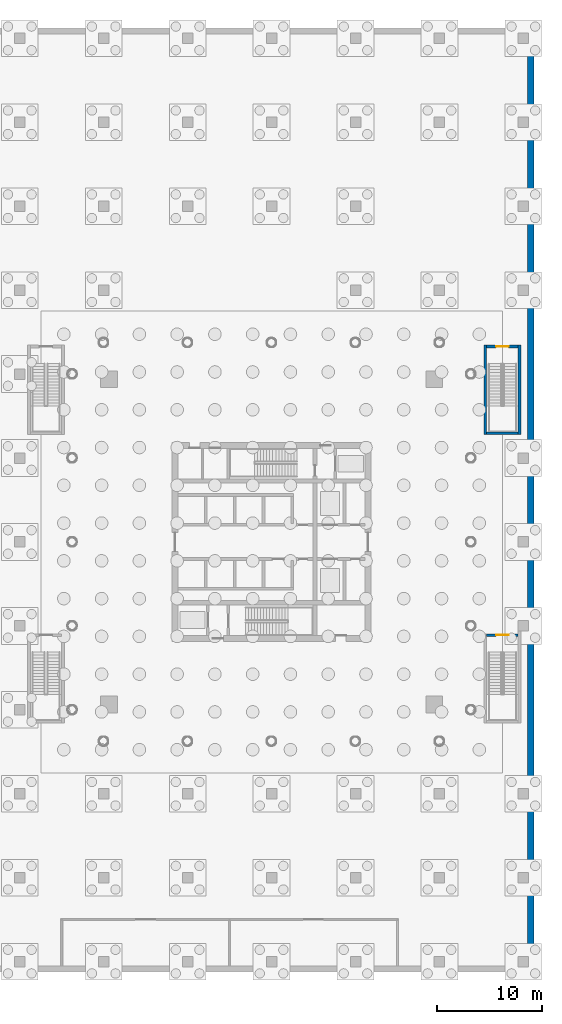
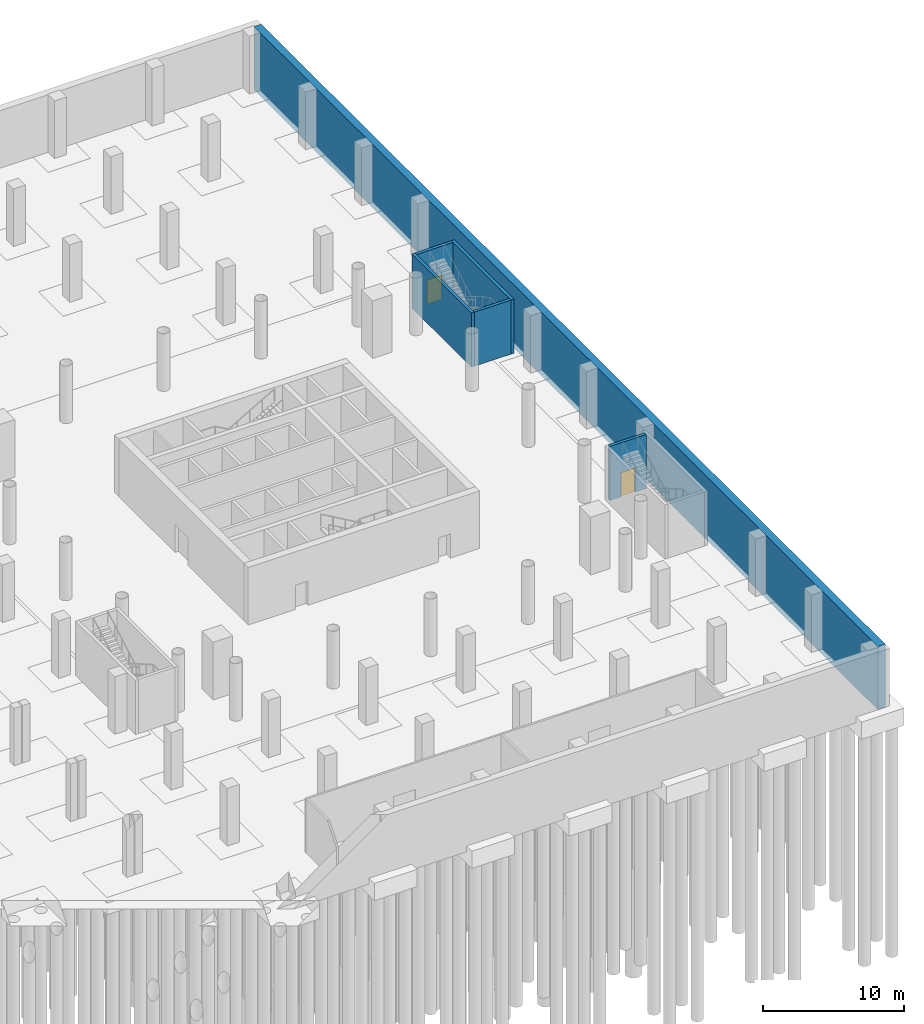
# One storey, part 18 of 24: 6 walls, 2 doors, 2 openings.
"""IFC4 building model written with IfcOpenShell, lengths in metres."""

from ifc_helpers import new_model, si_unit, direction, frame, frame_2d, origin, place, context, subcontext, project, spatial, rectangle, extrude, material, layer, layer_set, type_object, element, fill, save


model = new_model("IFC4")

# Units and contexts
model_context = context("Model", 3, precision=1e-05, world=origin(), true_north=direction((0.0, 1.0)))
body_context = subcontext(model_context, "Body", "Model", "MODEL_VIEW")
ifc_project = project(units=[si_unit("LENGTHUNIT", "METRE"), si_unit("AREAUNIT", "SQUARE_METRE"), si_unit("VOLUMEUNIT", "CUBIC_METRE"), si_unit("PLANEANGLEUNIT", "RADIAN"), si_unit("MASSUNIT", "GRAM", prefix="KILO")], contexts=[model_context])

# Site, building, storey
site_placement = place(None, origin())
site = spatial("IfcSite", under=ifc_project, at=site_placement, CompositionType="ELEMENT")
building_placement = place(site_placement, origin())
building = spatial("IfcBuilding", under=site, at=building_placement, Name="Ostroluk Exchange", CompositionType="ELEMENT")
storey_placement = place(building_placement, frame((0.0, 0.0, -10.0)))
storey = spatial("IfcBuildingStorey", under=building, at=storey_placement, Name="B2", CompositionType="ELEMENT", Elevation=-10.0)

# Wall
ifc_material_1 = material(Name="Concrete C35/45", Category="concrete")
ifc_layer_1 = layer(ifc_material_1, 0.60009765625)
ifc_layer_set_1 = layer_set([ifc_layer_1], Name="Basement retaining wall 600")
wall_type_1 = type_object("IfcWallType", Name="Basement retaining wall 600", PredefinedType="USERDEFINED", material=ifc_layer_set_1)
wall_1_placement = place(storey_placement, frame((141.699951171875, 5.60009765625, -0.5), z_axis=(0.0, 0.0, 1.0), x_axis=(0.0, 1.0, 0.0)))
element("IfcWall", 1, at=wall_1_placement, inside=storey, type_object=wall_type_1, Name="Retaining wall B2 E", ObjectType="RETAINING WALL", PredefinedType="USERDEFINED", context=body_context, shape_type="SweptSolid", body=[
    extrude(rectangle(XDim=88.7998046875, YDim=0.60009765625, at=frame_2d((44.39990234375, 0.0))), origin(), (0.0, 0.0, 1.0), 5.5),
])

# Wall, opening, door
ifc_material_2 = material(Name="Concrete blockwork", Category="masonry")
ifc_layer_2 = layer(ifc_material_2, 0.25)
ifc_layer_set_2 = layer_set([ifc_layer_2], Name="Blockwork stair enclosure wall 250")
wall_type_2 = type_object("IfcWallType", Name="Blockwork stair enclosure wall 250", PredefinedType="SOLIDWALL", material=ifc_layer_set_2)
wall_2_placement = place(storey_placement, frame((137.5, 37.125, 0.0), z_axis=(0.0, 0.0, 1.0), x_axis=(1.0, 0.0, 0.0)))
wall_2 = element("IfcWall", 2, at=wall_2_placement, inside=storey, type_object=wall_type_2, Name="Stair PS7 enclosure wall", PredefinedType="SOLIDWALL", context=body_context, shape_type="SweptSolid", body=[
    extrude(rectangle(XDim=3.0, YDim=0.25, at=frame_2d((1.5, 0.0))), origin(), (0.0, 0.0, 1.0), 4.699951171875),
])
opening_1_placement = place(wall_2_placement, frame((0.89990234375, 0.0, 0.0)))
opening_1 = element("IfcOpeningElement", 3, at=opening_1_placement, cuts=wall_2, Name="Opening FD60S", PredefinedType="OPENING", context=body_context, shape_type="SweptSolid", body=[
    extrude(rectangle(XDim=1.199951171875, YDim=2.10009765625, at=frame_2d((0.60009765625, 1.050048828125))), frame((0.0, 0.135009765625, 0.0), z_axis=(0.0, -1.0, 0.0), x_axis=(1.0, 0.0, 0.0)), (0.0, 0.0, 1.0), 0.27001953125),
])
ifc_material_3 = material(Name="Steel", Category="steel")
door_type = type_object("IfcDoorType", Name="Stair door EI 60 1200 x 2100", OperationType="SINGLE_SWING_LEFT", PredefinedType="DOOR", material=ifc_material_3)
door_1_placement = place(opening_1_placement, origin())
door_1 = element("IfcDoor", 4, at=door_1_placement, inside=storey, type_object=door_type, Name="Stair PS7 door", OperationType="SINGLE_SWING_LEFT", OverallHeight=2.10009765625, OverallWidth=1.199951171875, PredefinedType="DOOR", context=body_context, shape_type="SweptSolid", body=[
    extrude(rectangle(XDim=1.199951171875, YDim=2.10009765625, at=frame_2d((0.60009765625, 1.050048828125))), frame((0.0, 0.02490234375, 0.0), z_axis=(0.0, -1.0, 0.0), x_axis=(1.0, 0.0, 0.0)), (0.0, 0.0, 1.0), 0.050048828125),
])
fill(opening_1, door_1)

# Walls
for number, where, z_axis, x_axis, name in (
    (5, (137.375, 56.25, 0.0), (0.0, 0.0, 1.0), (0.0, 1.0, 0.0), "Stair PS8 enclosure wall"),
    (6, (140.625, 56.25, 0.0), (0.0, 0.0, 1.0), (0.0, 1.0, 0.0), "Stair PS8 enclosure wall"),
):
    element("IfcWall", number, at=place(storey_placement, frame(where, z_axis=z_axis, x_axis=x_axis)), inside=storey, type_object=wall_type_2, Name=name, PredefinedType="SOLIDWALL", context=body_context, shape_type="SweptSolid", body=[
        extrude(rectangle(XDim=8.5, YDim=0.25, at=frame_2d((4.25, 0.0))), origin(), (0.0, 0.0, 1.0), 4.699951171875),
    ])
wall_3_placement = place(storey_placement, frame((137.5, 56.375, 0.0), z_axis=(0.0, 0.0, 1.0), x_axis=(1.0, 0.0, 0.0)))
element("IfcWall", 7, at=wall_3_placement, inside=storey, type_object=wall_type_2, Name="Stair PS8 enclosure wall", PredefinedType="SOLIDWALL", context=body_context, shape_type="SweptSolid", body=[
    extrude(rectangle(XDim=3.0, YDim=0.25, at=frame_2d((1.5, 0.0))), origin(), (0.0, 0.0, 1.0), 4.699951171875),
])

# Wall, opening, door
wall_4_placement = place(storey_placement, frame((137.5, 64.625, 0.0), z_axis=(0.0, 0.0, 1.0), x_axis=(1.0, 0.0, 0.0)))
wall_4 = element("IfcWall", 8, at=wall_4_placement, inside=storey, type_object=wall_type_2, Name="Stair PS8 enclosure wall", PredefinedType="SOLIDWALL", context=body_context, shape_type="SweptSolid", body=[
    extrude(rectangle(XDim=3.0, YDim=0.25, at=frame_2d((1.5, 0.0))), origin(), (0.0, 0.0, 1.0), 4.699951171875),
])
opening_2_placement = place(wall_4_placement, frame((0.89990234375, 0.0, 0.0)))
opening_2 = element("IfcOpeningElement", 9, at=opening_2_placement, cuts=wall_4, Name="Opening FD60S", PredefinedType="OPENING", context=body_context, shape_type="SweptSolid", body=[
    extrude(rectangle(XDim=1.199951171875, YDim=2.10009765625, at=frame_2d((0.60009765625, 1.050048828125))), frame((0.0, 0.135009765625, 0.0), z_axis=(0.0, -1.0, 0.0), x_axis=(1.0, 0.0, 0.0)), (0.0, 0.0, 1.0), 0.27001953125),
])
door_2_placement = place(opening_2_placement, origin())
door_2 = element("IfcDoor", 10, at=door_2_placement, inside=storey, type_object=door_type, Name="Stair PS8 door", OperationType="SINGLE_SWING_LEFT", OverallHeight=2.10009765625, OverallWidth=1.199951171875, PredefinedType="DOOR", context=body_context, shape_type="SweptSolid", body=[
    extrude(rectangle(XDim=1.199951171875, YDim=2.10009765625, at=frame_2d((0.60009765625, 1.050048828125))), frame((0.0, 0.02490234375, 0.0), z_axis=(0.0, -1.0, 0.0), x_axis=(1.0, 0.0, 0.0)), (0.0, 0.0, 1.0), 0.050048828125),
])
fill(opening_2, door_2)

save(model, "model.ifc")
